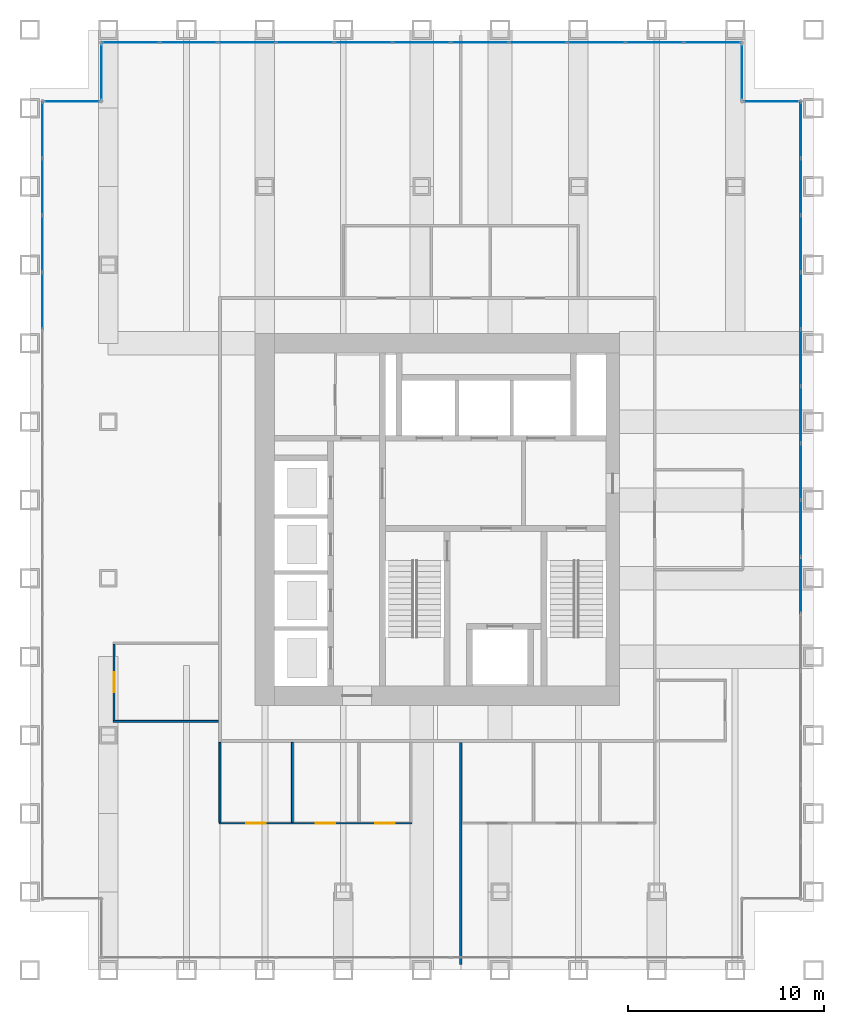
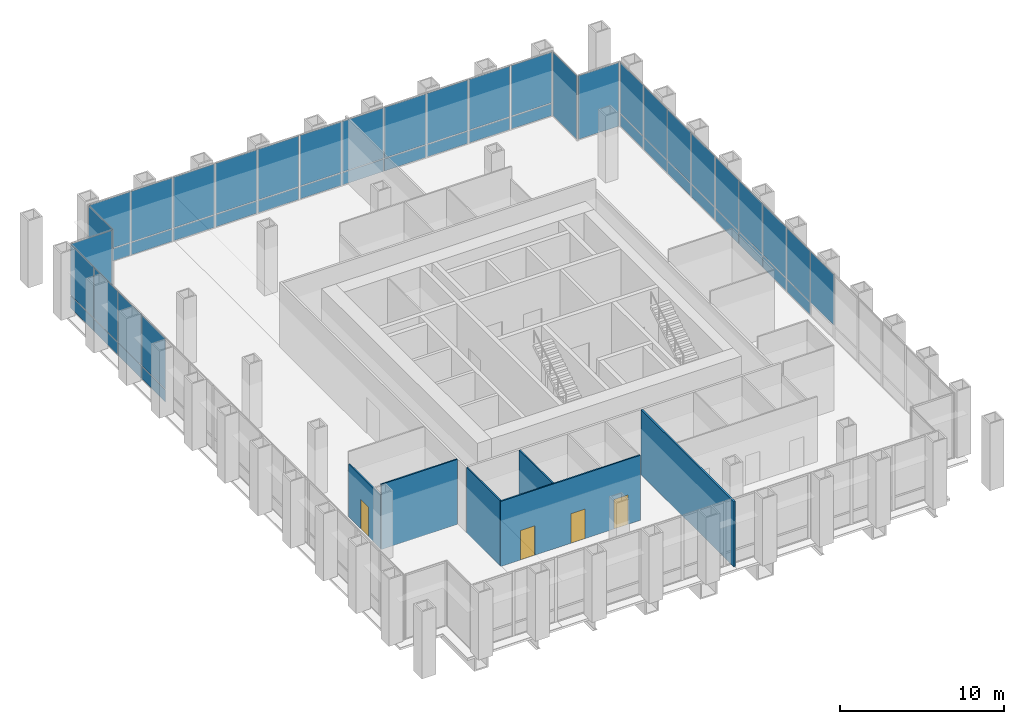
# One storey, part 9 of 13: 51 plates, 6 walls, 4 doors, 4 openings, 7 elements without a shape of their own.
"""IFC4 building model written with IfcOpenShell, lengths in metres."""

import ifcopenshell
import ifcopenshell.guid

model = None  # the IFC model being written
_history = None  # IfcOwnerHistory: only IFC2X3 demands one
_inside = {}  # id of a spatial element -> (the spatial element, [elements in it])
_under = {}  # id of a project, library or spatial element -> (it, [spatial elements below it])
_declared = {}  # id of a project -> (the project, [libraries it declares])
_typed = {}  # id of a type object -> (the type object, [elements of that type])
_made_of = {}  # id of a material, layer set ... -> (it, [elements and type objects made of it])


def new_model(schema):
    """Start an empty IFC model of exactly this schema.

    Asked for "IFC4X3", IfcOpenShell would pick the latest addendum, in which some entities
    have other attributes; the version numbers below select the first issue.
    IFC2X3 requires an IfcOwnerHistory on every rooted entity: one is made here for all.
    """
    global model, _history
    if schema == "IFC4X3":
        model = ifcopenshell.file(schema_version=(4, 3, 0, 0))
    else:
        model = ifcopenshell.file(schema=schema)
    _inside.clear()
    _under.clear()
    _declared.clear()
    _typed.clear()
    _made_of.clear()
    _history = None
    if model.schema == "IFC2X3":
        org = make("IfcOrganization", Name="unknown")
        user = make(
            "IfcPersonAndOrganization",
            ThePerson=make("IfcPerson", FamilyName="unknown"),
            TheOrganization=org,
        )
        app = make(
            "IfcApplication",
            ApplicationDeveloper=org,
            Version="unknown",
            ApplicationFullName="unknown",
            ApplicationIdentifier="unknown",
        )
        _history = make(
            "IfcOwnerHistory",
            OwningUser=user,
            OwningApplication=app,
            ChangeAction="ADDED",
            CreationDate=0,
        )
    return model


def make(cls, **values):
    """One entity of the class cls with the attributes given. An attribute that is None is left unset."""
    return model.create_entity(
        cls, **{name: value for name, value in values.items() if value is not None}
    )


def rooted(cls, **values):
    """An entity with a GlobalId (a new one), such as an element, a storey or a relation."""
    return make(cls, GlobalId=ifcopenshell.guid.new(), OwnerHistory=_history, **values)


def si_unit(unit_type, name, prefix=None):
    """IfcSIUnit, for example si_unit("LENGTHUNIT", "METRE", prefix="MILLI")."""
    return make("IfcSIUnit", UnitType=unit_type, Prefix=prefix, Name=name)


def assignment(units):
    """IfcUnitAssignment: the units of a project."""
    return None if units is None else make("IfcUnitAssignment", Units=units)


def point(xyz):
    """IfcCartesianPoint."""
    return None if xyz is None else make("IfcCartesianPoint", Coordinates=xyz)


def direction(xyz):
    """IfcDirection."""
    return None if xyz is None else make("IfcDirection", DirectionRatios=xyz)


def frame(location, z_axis=None, x_axis=None):
    """IfcAxis2Placement3D, a coordinate frame: its origin and axes. An axis left out is left unset."""
    return make(
        "IfcAxis2Placement3D",
        Location=point(location),
        Axis=direction(z_axis),
        RefDirection=direction(x_axis),
    )


def frame_2d(location, x_axis=None):
    """IfcAxis2Placement2D, a coordinate frame in the plane: its origin and x axis."""
    return make(
        "IfcAxis2Placement2D", Location=point(location), RefDirection=direction(x_axis)
    )


def origin():
    """The frame at (0, 0, 0) with its axes left unset."""
    return frame((0.0, 0.0, 0.0))


def origin_2d():
    """The frame at (0, 0) in the plane with its x axis left unset."""
    return frame_2d((0.0, 0.0))


def place(relative_to, where):
    """IfcLocalPlacement: puts the frame where relative to a parent placement (None: the world)."""
    return make(
        "IfcLocalPlacement", PlacementRelTo=relative_to, RelativePlacement=where
    )


def context(
    kind, dimensions, precision=None, world=None, true_north=None, identifier=None
):
    """IfcGeometricRepresentationContext, for example the 3D "Model" context."""
    return make(
        "IfcGeometricRepresentationContext",
        ContextIdentifier=identifier,
        ContextType=kind,
        CoordinateSpaceDimension=dimensions,
        Precision=precision,
        WorldCoordinateSystem=world,
        TrueNorth=true_north,
    )


def subcontext(parent, identifier, kind, view, scale=None):
    """IfcGeometricRepresentationSubContext, for example "Body" below "Model"."""
    return make(
        "IfcGeometricRepresentationSubContext",
        ContextIdentifier=identifier,
        ContextType=kind,
        ParentContext=parent,
        TargetScale=scale,
        TargetView=view,
    )


def project(units=None, contexts=None):
    """IfcProject with its units and contexts."""
    return rooted(
        "IfcProject",
        Name="project",
        RepresentationContexts=contexts,
        UnitsInContext=assignment(units),
    )


def spatial(cls, under=None, at=None, **own):
    """A site, building, storey or space (cls), placed at a placement, below another one or the project."""
    s = rooted(cls, ObjectPlacement=at, **own)
    if under is not None:
        _under.setdefault(under.id(), (under, []))[1].append(s)
    return s


def profile(cls, at=None, kind="AREA", **sizes):
    """A parametric profile (cls). Its sizes go by their IFC names, for example OverallWidth=200.0."""
    return make(cls, ProfileType=kind, Position=at, **sizes)


def rectangle(**sizes):
    """IfcRectangleProfileDef."""
    return profile("IfcRectangleProfileDef", **sizes)


def extrude(swept, where, along, depth):
    """IfcExtrudedAreaSolid: the profile swept, set in the frame where, extruded along a direction by depth."""
    return make(
        "IfcExtrudedAreaSolid",
        SweptArea=swept,
        Position=where,
        ExtrudedDirection=direction(along),
        Depth=depth,
    )


def shape(context_of_items, identifier, shape_type, items):
    """IfcShapeRepresentation: the items that make up one representation, for example the "Body"."""
    return make(
        "IfcShapeRepresentation",
        ContextOfItems=context_of_items,
        RepresentationIdentifier=identifier,
        RepresentationType=shape_type,
        Items=items,
    )


def material(Name=None, Category=None):
    """IfcMaterial."""
    return make("IfcMaterial", Name=Name, Category=Category)


def layer(
    of_material, thickness, ventilated=None, Name=None, Category=None, Priority=None
):
    """IfcMaterialLayer: one layer of a wall or slab, of a material (None: an air gap)."""
    return make(
        "IfcMaterialLayer",
        Material=of_material,
        LayerThickness=thickness,
        IsVentilated=ventilated,
        Name=Name,
        Category=Category,
        Priority=Priority,
    )


def layer_set(layers, Name=None):
    """IfcMaterialLayerSet."""
    return make("IfcMaterialLayerSet", MaterialLayers=layers, LayerSetName=Name)


def made_of(thing, what):
    """Note that an element or type object is made of a material, layer set ...; save() writes the relation."""
    if what is not None:
        _made_of.setdefault(what.id(), (what, []))[1].append(thing)
    return thing


def type_object(cls, material=None, **own):
    """A type object (cls), such as IfcWallType, which elements share."""
    return made_of(rooted(cls, **own), material)


def element(
    cls,
    number,
    at=None,
    inside=None,
    cuts=None,
    type_object=None,
    material=None,
    context=None,
    identifier="Body",
    shape_type=None,
    held_by="IfcProductDefinitionShape",
    body=None,
    shapes=None,
    **own,
):
    """One element of the class cls, such as IfcWall. Its Tag is "e" and its number.

    at: its placement. inside: the storey or other place that contains it. cuts: it is an
    opening in that element (IfcRelVoidsElement). A single representation is given by context,
    identifier, shape_type and body (its items); several are given by shapes. held_by: the class
    of the entity that holds the representations. save() writes the other relations.
    """
    e = rooted(cls, Tag="e%d" % number, ObjectPlacement=at, **own)
    if body is not None:
        shapes = [shape(context, identifier, shape_type, body)]
    if shapes is not None:
        e.Representation = make(held_by, Representations=shapes)
    if inside is not None:
        _inside.setdefault(inside.id(), (inside, []))[1].append(e)
    if cuts is not None:
        rooted(
            "IfcRelVoidsElement", RelatingBuildingElement=cuts, RelatedOpeningElement=e
        )
    if type_object is not None:
        _typed.setdefault(type_object.id(), (type_object, []))[1].append(e)
    return made_of(e, material)


def fill(opening, filler):
    """IfcRelFillsElement: the door or window that sits in an opening."""
    return rooted(
        "IfcRelFillsElement",
        RelatingOpeningElement=opening,
        RelatedBuildingElement=filler,
    )


def aggregate(whole, parts):
    """IfcRelAggregates: a whole, such as a stair, and the parts it consists of."""
    return rooted("IfcRelAggregates", RelatingObject=whole, RelatedObjects=parts)


def save(model, path):
    """Write the relations noted so far, then the file.

    IfcRelAggregates (storeys below a building ...), IfcRelContainedInSpatialStructure (elements
    in a storey), IfcRelDefinesByType, IfcRelAssociatesMaterial and IfcRelDeclares: one each for
    every whole, place, type object, material and project.
    """
    for whole, parts in _under.values():
        aggregate(whole, parts)
    for where, things in _inside.values():
        rooted(
            "IfcRelContainedInSpatialStructure",
            RelatedElements=things,
            RelatingStructure=where,
        )
    for kind, things in _typed.values():
        rooted("IfcRelDefinesByType", RelatedObjects=things, RelatingType=kind)
    for what, things in _made_of.values():
        rooted("IfcRelAssociatesMaterial", RelatedObjects=things, RelatingMaterial=what)
    for by, libraries in _declared.values():
        rooted("IfcRelDeclares", RelatingContext=by, RelatedDefinitions=libraries)
    model.write(path)


model = new_model("IFC4")

# Units and contexts
model_context = context("Model", 3, precision=1e-05, world=origin(), true_north=direction((0.0, 1.0)))
body_context = subcontext(model_context, "Body", "Model", "MODEL_VIEW")
ifc_project = project(units=[si_unit("LENGTHUNIT", "METRE"), si_unit("AREAUNIT", "SQUARE_METRE"), si_unit("VOLUMEUNIT", "CUBIC_METRE"), si_unit("PLANEANGLEUNIT", "RADIAN"), si_unit("MASSUNIT", "GRAM", prefix="KILO")], contexts=[model_context])

# Site, building, storey
site_placement = place(None, origin())
site = spatial("IfcSite", under=ifc_project, at=site_placement, CompositionType="ELEMENT")
building_placement = place(site_placement, origin())
building = spatial("IfcBuilding", under=site, at=building_placement, Name="Rimbunsela Tower", CompositionType="ELEMENT")
storey_placement = place(building_placement, frame((0.0, 0.0, 142.800048828125)))
storey = spatial("IfcBuildingStorey", under=building, at=storey_placement, Name="L34", CompositionType="ELEMENT", Elevation=142.800048828125)

# Curtain wall, plates
ifc_material_1 = material(Name="Aluminium curtain wall", Category="aluminium")
curtain_wall_type_1 = type_object("IfcCurtainWallType", Name="Sky lobby glazing", PredefinedType="USERDEFINED", material=ifc_material_1)
curtain_wall_1_placement = place(storey_placement, origin())
curtain_wall_1 = element("IfcCurtainWall", 1, at=curtain_wall_1_placement, inside=storey, type_object=curtain_wall_type_1, Name="Sky lobby glazing L34", ObjectType="SKY LOBBY GLAZING", PredefinedType="USERDEFINED")
ifc_material_2 = material(Name="Clear double glazing", Category="glass")
ifc_layer_1 = layer(ifc_material_2, 0.028076171875)
ifc_layer_set_1 = layer_set([ifc_layer_1], Name="Glazed panel clear")
plate_type = type_object("IfcPlateType", Name="Glazed panel clear", PredefinedType="CURTAIN_PANEL", material=ifc_layer_set_1)
plate_1_placement = place(storey_placement, frame((45.35009765625, 23.639404296875, 1.02978515625), z_axis=(0.0, 0.0, 1.0), x_axis=(0.0, 1.0, 0.0)))
plate_1 = element("IfcPlate", 2, at=plate_1_placement, type_object=plate_type, Name="CW4 panel 6.2", PredefinedType="CURTAIN_PANEL", context=body_context, shape_type="SweptSolid", body=[
    extrude(rectangle(XDim=2.84716796875, YDim=0.028076171875, at=origin_2d()), origin(), (0.0, 0.0, 1.0), 3.760009765625),
])
plate_2_placement = place(storey_placement, frame((45.35009765625, 26.54638671875, 0.06005859375), z_axis=(0.0, 0.0, 1.0), x_axis=(0.0, 1.0, 0.0)))
plate_2 = element("IfcPlate", 3, at=plate_2_placement, type_object=plate_type, Name="CW4 panel 7.1", PredefinedType="CURTAIN_PANEL", context=body_context, shape_type="SweptSolid", body=[
    extrude(rectangle(XDim=2.84716796875, YDim=0.028076171875, at=origin_2d()), origin(), (0.0, 0.0, 1.0), 0.909912109375),
])
plate_3_placement = place(storey_placement, frame((45.35009765625, 26.54638671875, 1.02978515625), z_axis=(0.0, 0.0, 1.0), x_axis=(0.0, 1.0, 0.0)))
plate_3 = element("IfcPlate", 4, at=plate_3_placement, type_object=plate_type, Name="CW4 panel 7.2", PredefinedType="CURTAIN_PANEL", context=body_context, shape_type="SweptSolid", body=[
    extrude(rectangle(XDim=2.84716796875, YDim=0.028076171875, at=origin_2d()), origin(), (0.0, 0.0, 1.0), 3.760009765625),
])
plate_4_placement = place(storey_placement, frame((45.35009765625, 29.45361328125, 0.06005859375), z_axis=(0.0, 0.0, 1.0), x_axis=(0.0, 1.0, 0.0)))
plate_4 = element("IfcPlate", 5, at=plate_4_placement, type_object=plate_type, Name="CW4 panel 8.1", PredefinedType="CURTAIN_PANEL", context=body_context, shape_type="SweptSolid", body=[
    extrude(rectangle(XDim=2.84716796875, YDim=0.028076171875, at=origin_2d()), origin(), (0.0, 0.0, 1.0), 0.909912109375),
])
plate_5_placement = place(storey_placement, frame((45.35009765625, 29.45361328125, 1.02978515625), z_axis=(0.0, 0.0, 1.0), x_axis=(0.0, 1.0, 0.0)))
plate_5 = element("IfcPlate", 6, at=plate_5_placement, type_object=plate_type, Name="CW4 panel 8.2", PredefinedType="CURTAIN_PANEL", context=body_context, shape_type="SweptSolid", body=[
    extrude(rectangle(XDim=2.84716796875, YDim=0.028076171875, at=origin_2d()), origin(), (0.0, 0.0, 1.0), 3.760009765625),
])
plate_6_placement = place(storey_placement, frame((45.35009765625, 32.360595703125, 0.06005859375), z_axis=(0.0, 0.0, 1.0), x_axis=(0.0, 1.0, 0.0)))
plate_6 = element("IfcPlate", 7, at=plate_6_placement, type_object=plate_type, Name="CW4 panel 9.1", PredefinedType="CURTAIN_PANEL", context=body_context, shape_type="SweptSolid", body=[
    extrude(rectangle(XDim=2.84716796875, YDim=0.028076171875, at=origin_2d()), origin(), (0.0, 0.0, 1.0), 0.909912109375),
])
plate_7_placement = place(storey_placement, frame((45.35009765625, 32.360595703125, 1.02978515625), z_axis=(0.0, 0.0, 1.0), x_axis=(0.0, 1.0, 0.0)))
plate_7 = element("IfcPlate", 8, at=plate_7_placement, type_object=plate_type, Name="CW4 panel 9.2", PredefinedType="CURTAIN_PANEL", context=body_context, shape_type="SweptSolid", body=[
    extrude(rectangle(XDim=2.84716796875, YDim=0.028076171875, at=origin_2d()), origin(), (0.0, 0.0, 1.0), 3.760009765625),
])
plate_8_placement = place(storey_placement, frame((45.35009765625, 35.267822265625, 0.06005859375), z_axis=(0.0, 0.0, 1.0), x_axis=(0.0, 1.0, 0.0)))
plate_8 = element("IfcPlate", 9, at=plate_8_placement, type_object=plate_type, Name="CW4 panel 10.1", PredefinedType="CURTAIN_PANEL", context=body_context, shape_type="SweptSolid", body=[
    extrude(rectangle(XDim=2.84716796875, YDim=0.028076171875, at=origin_2d()), origin(), (0.0, 0.0, 1.0), 0.909912109375),
])
plate_9_placement = place(storey_placement, frame((45.35009765625, 35.267822265625, 1.02978515625), z_axis=(0.0, 0.0, 1.0), x_axis=(0.0, 1.0, 0.0)))
plate_9 = element("IfcPlate", 10, at=plate_9_placement, type_object=plate_type, Name="CW4 panel 10.2", PredefinedType="CURTAIN_PANEL", context=body_context, shape_type="SweptSolid", body=[
    extrude(rectangle(XDim=2.84716796875, YDim=0.028076171875, at=origin_2d()), origin(), (0.0, 0.0, 1.0), 3.760009765625),
])
plate_10_placement = place(storey_placement, frame((45.35009765625, 38.175048828125, 0.06005859375), z_axis=(0.0, 0.0, 1.0), x_axis=(0.0, 1.0, 0.0)))
plate_10 = element("IfcPlate", 11, at=plate_10_placement, type_object=plate_type, Name="CW4 panel 11.1", PredefinedType="CURTAIN_PANEL", context=body_context, shape_type="SweptSolid", body=[
    extrude(rectangle(XDim=2.84716796875, YDim=0.028076171875, at=origin_2d()), origin(), (0.0, 0.0, 1.0), 0.909912109375),
])
plate_11_placement = place(storey_placement, frame((45.35009765625, 38.175048828125, 1.02978515625), z_axis=(0.0, 0.0, 1.0), x_axis=(0.0, 1.0, 0.0)))
plate_11 = element("IfcPlate", 12, at=plate_11_placement, type_object=plate_type, Name="CW4 panel 11.2", PredefinedType="CURTAIN_PANEL", context=body_context, shape_type="SweptSolid", body=[
    extrude(rectangle(XDim=2.84716796875, YDim=0.028076171875, at=origin_2d()), origin(), (0.0, 0.0, 1.0), 3.760009765625),
])
plate_12_placement = place(storey_placement, frame((45.35009765625, 41.08203125, 0.06005859375), z_axis=(0.0, 0.0, 1.0), x_axis=(0.0, 1.0, 0.0)))
plate_12 = element("IfcPlate", 13, at=plate_12_placement, type_object=plate_type, Name="CW4 panel 12.1", PredefinedType="CURTAIN_PANEL", context=body_context, shape_type="SweptSolid", body=[
    extrude(rectangle(XDim=2.84716796875, YDim=0.028076171875, at=origin_2d()), origin(), (0.0, 0.0, 1.0), 0.909912109375),
])
plate_13_placement = place(storey_placement, frame((45.35009765625, 41.08203125, 1.02978515625), z_axis=(0.0, 0.0, 1.0), x_axis=(0.0, 1.0, 0.0)))
plate_13 = element("IfcPlate", 14, at=plate_13_placement, type_object=plate_type, Name="CW4 panel 12.2", PredefinedType="CURTAIN_PANEL", context=body_context, shape_type="SweptSolid", body=[
    extrude(rectangle(XDim=2.84716796875, YDim=0.028076171875, at=origin_2d()), origin(), (0.0, 0.0, 1.0), 3.760009765625),
])
plate_14_placement = place(storey_placement, frame((45.35009765625, 43.9892578125, 0.06005859375), z_axis=(0.0, 0.0, 1.0), x_axis=(0.0, 1.0, 0.0)))
plate_14 = element("IfcPlate", 15, at=plate_14_placement, type_object=plate_type, Name="CW4 panel 13.1", PredefinedType="CURTAIN_PANEL", context=body_context, shape_type="SweptSolid", body=[
    extrude(rectangle(XDim=2.84716796875, YDim=0.028076171875, at=origin_2d()), origin(), (0.0, 0.0, 1.0), 0.909912109375),
])
plate_15_placement = place(storey_placement, frame((45.35009765625, 43.9892578125, 1.02978515625), z_axis=(0.0, 0.0, 1.0), x_axis=(0.0, 1.0, 0.0)))
plate_15 = element("IfcPlate", 16, at=plate_15_placement, type_object=plate_type, Name="CW4 panel 13.2", PredefinedType="CURTAIN_PANEL", context=body_context, shape_type="SweptSolid", body=[
    extrude(rectangle(XDim=2.84716796875, YDim=0.028076171875, at=origin_2d()), origin(), (0.0, 0.0, 1.0), 3.760009765625),
])
plate_16_placement = place(storey_placement, frame((45.35009765625, 46.88134765625, 0.06005859375), z_axis=(0.0, 0.0, 1.0), x_axis=(0.0, 1.0, 0.0)))
plate_16 = element("IfcPlate", 17, at=plate_16_placement, type_object=plate_type, Name="CW4 panel 14.1", PredefinedType="CURTAIN_PANEL", context=body_context, shape_type="SweptSolid", body=[
    extrude(rectangle(XDim=2.817138671875, YDim=0.028076171875, at=origin_2d()), origin(), (0.0, 0.0, 1.0), 0.909912109375),
])
plate_17_placement = place(storey_placement, frame((45.35009765625, 46.88134765625, 1.02978515625), z_axis=(0.0, 0.0, 1.0), x_axis=(0.0, 1.0, 0.0)))
plate_17 = element("IfcPlate", 18, at=plate_17_placement, type_object=plate_type, Name="CW4 panel 14.2", PredefinedType="CURTAIN_PANEL", context=body_context, shape_type="SweptSolid", body=[
    extrude(rectangle(XDim=2.817138671875, YDim=0.028076171875, at=origin_2d()), origin(), (0.0, 0.0, 1.0), 3.760009765625),
])
aggregate(curtain_wall_1, [plate_1, plate_2, plate_3, plate_4, plate_5, plate_6, plate_7, plate_8, plate_9, plate_10, plate_11, plate_12, plate_13, plate_14, plate_15, plate_16, plate_17])

# Curtain wall, plate
ifc_material_3 = material(Name="Aluminium curtain wall", Category="aluminium")
curtain_wall_type_2 = type_object("IfcCurtainWallType", Name="Corner glazing", PredefinedType="USERDEFINED", material=ifc_material_3)
curtain_wall_2_placement = place(storey_placement, origin())
curtain_wall_2 = element("IfcCurtainWall", 19, at=curtain_wall_2_placement, inside=storey, type_object=curtain_wall_type_2, Name="Corner glazing L34", ObjectType="CORNER GLAZING", PredefinedType="USERDEFINED")
plate_18_placement = place(storey_placement, frame((43.85009765625, 48.35009765625, 0.06005859375), z_axis=(0.0, 0.0, 1.0), x_axis=(-1.0, 0.0, 0.0)))
plate_18 = element("IfcPlate", 20, at=plate_18_placement, type_object=plate_type, Name="CW5 panel 1.1", PredefinedType="CURTAIN_PANEL", context=body_context, shape_type="SweptSolid", body=[
    extrude(rectangle(XDim=2.8798828125, YDim=0.028076171875, at=origin_2d()), origin(), (0.0, 0.0, 1.0), 4.72998046875),
])
aggregate(curtain_wall_2, [plate_18])

curtain_wall_3_placement = place(storey_placement, origin())
curtain_wall_3 = element("IfcCurtainWall", 21, at=curtain_wall_3_placement, inside=storey, type_object=curtain_wall_type_2, Name="Corner glazing L34", ObjectType="CORNER GLAZING", PredefinedType="USERDEFINED")
plate_19_placement = place(storey_placement, frame((42.35009765625, 49.85009765625, 0.06005859375), z_axis=(0.0, 0.0, 1.0), x_axis=(0.0, 1.0, 0.0)))
plate_19 = element("IfcPlate", 22, at=plate_19_placement, type_object=plate_type, Name="CW5 panel 1.1", PredefinedType="CURTAIN_PANEL", context=body_context, shape_type="SweptSolid", body=[
    extrude(rectangle(XDim=2.8798828125, YDim=0.028076171875, at=origin_2d()), origin(), (0.0, 0.0, 1.0), 4.72998046875),
])
aggregate(curtain_wall_3, [plate_19])

# Curtain wall, plates
curtain_wall_4_placement = place(storey_placement, origin())
curtain_wall_4 = element("IfcCurtainWall", 23, at=curtain_wall_4_placement, inside=storey, type_object=curtain_wall_type_1, Name="Sky lobby glazing L34", ObjectType="SKY LOBBY GLAZING", PredefinedType="USERDEFINED")
plate_20_placement = place(storey_placement, frame((40.8486328125, 51.35009765625, 0.06005859375), z_axis=(0.0, 0.0, 1.0), x_axis=(-1.0, 0.0, 0.0)))
plate_20 = element("IfcPlate", 24, at=plate_20_placement, type_object=plate_type, Name="CW4 panel 1.1", PredefinedType="CURTAIN_PANEL", context=body_context, shape_type="SweptSolid", body=[
    extrude(rectangle(XDim=2.8828125, YDim=0.028076171875, at=origin_2d()), origin(), (0.0, 0.0, 1.0), 0.909912109375),
])
plate_21_placement = place(storey_placement, frame((40.8486328125, 51.35009765625, 1.02978515625), z_axis=(0.0, 0.0, 1.0), x_axis=(-1.0, 0.0, 0.0)))
plate_21 = element("IfcPlate", 25, at=plate_21_placement, type_object=plate_type, Name="CW4 panel 1.2", PredefinedType="CURTAIN_PANEL", context=body_context, shape_type="SweptSolid", body=[
    extrude(rectangle(XDim=2.8828125, YDim=0.028076171875, at=origin_2d()), origin(), (0.0, 0.0, 1.0), 3.760009765625),
])
plate_22_placement = place(storey_placement, frame((37.890869140625, 51.35009765625, 0.06005859375), z_axis=(0.0, 0.0, 1.0), x_axis=(-1.0, 0.0, 0.0)))
plate_22 = element("IfcPlate", 26, at=plate_22_placement, type_object=plate_type, Name="CW4 panel 2.1", PredefinedType="CURTAIN_PANEL", context=body_context, shape_type="SweptSolid", body=[
    extrude(rectangle(XDim=2.912841796875, YDim=0.028076171875, at=origin_2d()), origin(), (0.0, 0.0, 1.0), 0.909912109375),
])
plate_23_placement = place(storey_placement, frame((37.890869140625, 51.35009765625, 1.02978515625), z_axis=(0.0, 0.0, 1.0), x_axis=(-1.0, 0.0, 0.0)))
plate_23 = element("IfcPlate", 27, at=plate_23_placement, type_object=plate_type, Name="CW4 panel 2.2", PredefinedType="CURTAIN_PANEL", context=body_context, shape_type="SweptSolid", body=[
    extrude(rectangle(XDim=2.912841796875, YDim=0.028076171875, at=origin_2d()), origin(), (0.0, 0.0, 1.0), 3.760009765625),
])
plate_24_placement = place(storey_placement, frame((34.918212890625, 51.35009765625, 0.06005859375), z_axis=(0.0, 0.0, 1.0), x_axis=(-1.0, 0.0, 0.0)))
plate_24 = element("IfcPlate", 28, at=plate_24_placement, type_object=plate_type, Name="CW4 panel 3.1", PredefinedType="CURTAIN_PANEL", context=body_context, shape_type="SweptSolid", body=[
    extrude(rectangle(XDim=2.912841796875, YDim=0.028076171875, at=origin_2d()), origin(), (0.0, 0.0, 1.0), 0.909912109375),
])
plate_25_placement = place(storey_placement, frame((34.918212890625, 51.35009765625, 1.02978515625), z_axis=(0.0, 0.0, 1.0), x_axis=(-1.0, 0.0, 0.0)))
plate_25 = element("IfcPlate", 29, at=plate_25_placement, type_object=plate_type, Name="CW4 panel 3.2", PredefinedType="CURTAIN_PANEL", context=body_context, shape_type="SweptSolid", body=[
    extrude(rectangle(XDim=2.912841796875, YDim=0.028076171875, at=origin_2d()), origin(), (0.0, 0.0, 1.0), 3.760009765625),
])
plate_26_placement = place(storey_placement, frame((31.945556640625, 51.35009765625, 0.06005859375), z_axis=(0.0, 0.0, 1.0), x_axis=(-1.0, 0.0, 0.0)))
plate_26 = element("IfcPlate", 30, at=plate_26_placement, type_object=plate_type, Name="CW4 panel 4.1", PredefinedType="CURTAIN_PANEL", context=body_context, shape_type="SweptSolid", body=[
    extrude(rectangle(XDim=2.912841796875, YDim=0.028076171875, at=origin_2d()), origin(), (0.0, 0.0, 1.0), 0.909912109375),
])
plate_27_placement = place(storey_placement, frame((31.945556640625, 51.35009765625, 1.02978515625), z_axis=(0.0, 0.0, 1.0), x_axis=(-1.0, 0.0, 0.0)))
plate_27 = element("IfcPlate", 31, at=plate_27_placement, type_object=plate_type, Name="CW4 panel 4.2", PredefinedType="CURTAIN_PANEL", context=body_context, shape_type="SweptSolid", body=[
    extrude(rectangle(XDim=2.912841796875, YDim=0.028076171875, at=origin_2d()), origin(), (0.0, 0.0, 1.0), 3.760009765625),
])
plate_28_placement = place(storey_placement, frame((28.97265625, 51.35009765625, 0.06005859375), z_axis=(0.0, 0.0, 1.0), x_axis=(-1.0, 0.0, 0.0)))
plate_28 = element("IfcPlate", 32, at=plate_28_placement, type_object=plate_type, Name="CW4 panel 5.1", PredefinedType="CURTAIN_PANEL", context=body_context, shape_type="SweptSolid", body=[
    extrude(rectangle(XDim=2.912841796875, YDim=0.028076171875, at=origin_2d()), origin(), (0.0, 0.0, 1.0), 0.909912109375),
])
plate_29_placement = place(storey_placement, frame((28.97265625, 51.35009765625, 1.02978515625), z_axis=(0.0, 0.0, 1.0), x_axis=(-1.0, 0.0, 0.0)))
plate_29 = element("IfcPlate", 33, at=plate_29_placement, type_object=plate_type, Name="CW4 panel 5.2", PredefinedType="CURTAIN_PANEL", context=body_context, shape_type="SweptSolid", body=[
    extrude(rectangle(XDim=2.912841796875, YDim=0.028076171875, at=origin_2d()), origin(), (0.0, 0.0, 1.0), 3.760009765625),
])
plate_30_placement = place(storey_placement, frame((26.0, 51.35009765625, 0.06005859375), z_axis=(0.0, 0.0, 1.0), x_axis=(-1.0, 0.0, 0.0)))
plate_30 = element("IfcPlate", 34, at=plate_30_placement, type_object=plate_type, Name="CW4 panel 6.1", PredefinedType="CURTAIN_PANEL", context=body_context, shape_type="SweptSolid", body=[
    extrude(rectangle(XDim=2.912841796875, YDim=0.028076171875, at=origin_2d()), origin(), (0.0, 0.0, 1.0), 0.909912109375),
])
plate_31_placement = place(storey_placement, frame((26.0, 51.35009765625, 1.02978515625), z_axis=(0.0, 0.0, 1.0), x_axis=(-1.0, 0.0, 0.0)))
plate_31 = element("IfcPlate", 35, at=plate_31_placement, type_object=plate_type, Name="CW4 panel 6.2", PredefinedType="CURTAIN_PANEL", context=body_context, shape_type="SweptSolid", body=[
    extrude(rectangle(XDim=2.912841796875, YDim=0.028076171875, at=origin_2d()), origin(), (0.0, 0.0, 1.0), 3.760009765625),
])
plate_32_placement = place(storey_placement, frame((23.02734375, 51.35009765625, 0.06005859375), z_axis=(0.0, 0.0, 1.0), x_axis=(-1.0, 0.0, 0.0)))
plate_32 = element("IfcPlate", 36, at=plate_32_placement, type_object=plate_type, Name="CW4 panel 7.1", PredefinedType="CURTAIN_PANEL", context=body_context, shape_type="SweptSolid", body=[
    extrude(rectangle(XDim=2.912841796875, YDim=0.028076171875, at=origin_2d()), origin(), (0.0, 0.0, 1.0), 0.909912109375),
])
plate_33_placement = place(storey_placement, frame((23.02734375, 51.35009765625, 1.02978515625), z_axis=(0.0, 0.0, 1.0), x_axis=(-1.0, 0.0, 0.0)))
plate_33 = element("IfcPlate", 37, at=plate_33_placement, type_object=plate_type, Name="CW4 panel 7.2", PredefinedType="CURTAIN_PANEL", context=body_context, shape_type="SweptSolid", body=[
    extrude(rectangle(XDim=2.912841796875, YDim=0.028076171875, at=origin_2d()), origin(), (0.0, 0.0, 1.0), 3.760009765625),
])
plate_34_placement = place(storey_placement, frame((20.054443359375, 51.35009765625, 0.06005859375), z_axis=(0.0, 0.0, 1.0), x_axis=(-1.0, 0.0, 0.0)))
plate_34 = element("IfcPlate", 38, at=plate_34_placement, type_object=plate_type, Name="CW4 panel 8.1", PredefinedType="CURTAIN_PANEL", context=body_context, shape_type="SweptSolid", body=[
    extrude(rectangle(XDim=2.912841796875, YDim=0.028076171875, at=origin_2d()), origin(), (0.0, 0.0, 1.0), 0.909912109375),
])
plate_35_placement = place(storey_placement, frame((20.054443359375, 51.35009765625, 1.02978515625), z_axis=(0.0, 0.0, 1.0), x_axis=(-1.0, 0.0, 0.0)))
plate_35 = element("IfcPlate", 39, at=plate_35_placement, type_object=plate_type, Name="CW4 panel 8.2", PredefinedType="CURTAIN_PANEL", context=body_context, shape_type="SweptSolid", body=[
    extrude(rectangle(XDim=2.912841796875, YDim=0.028076171875, at=origin_2d()), origin(), (0.0, 0.0, 1.0), 3.760009765625),
])
plate_36_placement = place(storey_placement, frame((17.081787109375, 51.35009765625, 0.06005859375), z_axis=(0.0, 0.0, 1.0), x_axis=(-1.0, 0.0, 0.0)))
plate_36 = element("IfcPlate", 40, at=plate_36_placement, type_object=plate_type, Name="CW4 panel 9.1", PredefinedType="CURTAIN_PANEL", context=body_context, shape_type="SweptSolid", body=[
    extrude(rectangle(XDim=2.912841796875, YDim=0.028076171875, at=origin_2d()), origin(), (0.0, 0.0, 1.0), 0.909912109375),
])
plate_37_placement = place(storey_placement, frame((17.081787109375, 51.35009765625, 1.02978515625), z_axis=(0.0, 0.0, 1.0), x_axis=(-1.0, 0.0, 0.0)))
plate_37 = element("IfcPlate", 41, at=plate_37_placement, type_object=plate_type, Name="CW4 panel 9.2", PredefinedType="CURTAIN_PANEL", context=body_context, shape_type="SweptSolid", body=[
    extrude(rectangle(XDim=2.912841796875, YDim=0.028076171875, at=origin_2d()), origin(), (0.0, 0.0, 1.0), 3.760009765625),
])
plate_38_placement = place(storey_placement, frame((14.109130859375, 51.35009765625, 0.06005859375), z_axis=(0.0, 0.0, 1.0), x_axis=(-1.0, 0.0, 0.0)))
plate_38 = element("IfcPlate", 42, at=plate_38_placement, type_object=plate_type, Name="CW4 panel 10.1", PredefinedType="CURTAIN_PANEL", context=body_context, shape_type="SweptSolid", body=[
    extrude(rectangle(XDim=2.912841796875, YDim=0.028076171875, at=origin_2d()), origin(), (0.0, 0.0, 1.0), 0.909912109375),
])
plate_39_placement = place(storey_placement, frame((14.109130859375, 51.35009765625, 1.02978515625), z_axis=(0.0, 0.0, 1.0), x_axis=(-1.0, 0.0, 0.0)))
plate_39 = element("IfcPlate", 43, at=plate_39_placement, type_object=plate_type, Name="CW4 panel 10.2", PredefinedType="CURTAIN_PANEL", context=body_context, shape_type="SweptSolid", body=[
    extrude(rectangle(XDim=2.912841796875, YDim=0.028076171875, at=origin_2d()), origin(), (0.0, 0.0, 1.0), 3.760009765625),
])
plate_40_placement = place(storey_placement, frame((11.1513671875, 51.35009765625, 0.06005859375), z_axis=(0.0, 0.0, 1.0), x_axis=(-1.0, 0.0, 0.0)))
plate_40 = element("IfcPlate", 44, at=plate_40_placement, type_object=plate_type, Name="CW4 panel 11.1", PredefinedType="CURTAIN_PANEL", context=body_context, shape_type="SweptSolid", body=[
    extrude(rectangle(XDim=2.8828125, YDim=0.028076171875, at=origin_2d()), origin(), (0.0, 0.0, 1.0), 0.909912109375),
])
plate_41_placement = place(storey_placement, frame((11.1513671875, 51.35009765625, 1.02978515625), z_axis=(0.0, 0.0, 1.0), x_axis=(-1.0, 0.0, 0.0)))
plate_41 = element("IfcPlate", 45, at=plate_41_placement, type_object=plate_type, Name="CW4 panel 11.2", PredefinedType="CURTAIN_PANEL", context=body_context, shape_type="SweptSolid", body=[
    extrude(rectangle(XDim=2.8828125, YDim=0.028076171875, at=origin_2d()), origin(), (0.0, 0.0, 1.0), 3.760009765625),
])
aggregate(curtain_wall_4, [plate_20, plate_21, plate_22, plate_23, plate_24, plate_25, plate_26, plate_27, plate_28, plate_29, plate_30, plate_31, plate_32, plate_33, plate_34, plate_35, plate_36, plate_37, plate_38, plate_39, plate_40, plate_41])

# Curtain wall, plate
curtain_wall_5_placement = place(storey_placement, origin())
curtain_wall_5 = element("IfcCurtainWall", 46, at=curtain_wall_5_placement, inside=storey, type_object=curtain_wall_type_2, Name="Corner glazing L34", ObjectType="CORNER GLAZING", PredefinedType="USERDEFINED")
plate_42_placement = place(storey_placement, frame((9.64990234375, 49.85009765625, 0.06005859375), z_axis=(0.0, 0.0, 1.0), x_axis=(0.0, -1.0, 0.0)))
plate_42 = element("IfcPlate", 47, at=plate_42_placement, type_object=plate_type, Name="CW5 panel 1.1", PredefinedType="CURTAIN_PANEL", context=body_context, shape_type="SweptSolid", body=[
    extrude(rectangle(XDim=2.8798828125, YDim=0.028076171875, at=origin_2d()), origin(), (0.0, 0.0, 1.0), 4.72998046875),
])
aggregate(curtain_wall_5, [plate_42])

curtain_wall_6_placement = place(storey_placement, origin())
curtain_wall_6 = element("IfcCurtainWall", 48, at=curtain_wall_6_placement, inside=storey, type_object=curtain_wall_type_2, Name="Corner glazing L34", ObjectType="CORNER GLAZING", PredefinedType="USERDEFINED")
plate_43_placement = place(storey_placement, frame((8.14990234375, 48.35009765625, 0.06005859375), z_axis=(0.0, 0.0, 1.0), x_axis=(-1.0, 0.0, 0.0)))
plate_43 = element("IfcPlate", 49, at=plate_43_placement, type_object=plate_type, Name="CW5 panel 1.1", PredefinedType="CURTAIN_PANEL", context=body_context, shape_type="SweptSolid", body=[
    extrude(rectangle(XDim=2.8798828125, YDim=0.028076171875, at=origin_2d()), origin(), (0.0, 0.0, 1.0), 4.72998046875),
])
aggregate(curtain_wall_6, [plate_43])

# Curtain wall, plates
curtain_wall_7_placement = place(storey_placement, origin())
curtain_wall_7 = element("IfcCurtainWall", 50, at=curtain_wall_7_placement, inside=storey, type_object=curtain_wall_type_1, Name="Sky lobby glazing L34", ObjectType="SKY LOBBY GLAZING", PredefinedType="USERDEFINED")
plate_44_placement = place(storey_placement, frame((6.64990234375, 46.88134765625, 0.06005859375), z_axis=(0.0, 0.0, 1.0), x_axis=(0.0, -1.0, 0.0)))
plate_44 = element("IfcPlate", 51, at=plate_44_placement, type_object=plate_type, Name="CW4 panel 1.1", PredefinedType="CURTAIN_PANEL", context=body_context, shape_type="SweptSolid", body=[
    extrude(rectangle(XDim=2.817138671875, YDim=0.028076171875, at=origin_2d()), origin(), (0.0, 0.0, 1.0), 0.909912109375),
])
plate_45_placement = place(storey_placement, frame((6.64990234375, 46.88134765625, 1.02978515625), z_axis=(0.0, 0.0, 1.0), x_axis=(0.0, -1.0, 0.0)))
plate_45 = element("IfcPlate", 52, at=plate_45_placement, type_object=plate_type, Name="CW4 panel 1.2", PredefinedType="CURTAIN_PANEL", context=body_context, shape_type="SweptSolid", body=[
    extrude(rectangle(XDim=2.817138671875, YDim=0.028076171875, at=origin_2d()), origin(), (0.0, 0.0, 1.0), 3.760009765625),
])
plate_46_placement = place(storey_placement, frame((6.64990234375, 43.9892578125, 0.06005859375), z_axis=(0.0, 0.0, 1.0), x_axis=(0.0, -1.0, 0.0)))
plate_46 = element("IfcPlate", 53, at=plate_46_placement, type_object=plate_type, Name="CW4 panel 2.1", PredefinedType="CURTAIN_PANEL", context=body_context, shape_type="SweptSolid", body=[
    extrude(rectangle(XDim=2.84716796875, YDim=0.028076171875, at=origin_2d()), origin(), (0.0, 0.0, 1.0), 0.909912109375),
])
plate_47_placement = place(storey_placement, frame((6.64990234375, 43.9892578125, 1.02978515625), z_axis=(0.0, 0.0, 1.0), x_axis=(0.0, -1.0, 0.0)))
plate_47 = element("IfcPlate", 54, at=plate_47_placement, type_object=plate_type, Name="CW4 panel 2.2", PredefinedType="CURTAIN_PANEL", context=body_context, shape_type="SweptSolid", body=[
    extrude(rectangle(XDim=2.84716796875, YDim=0.028076171875, at=origin_2d()), origin(), (0.0, 0.0, 1.0), 3.760009765625),
])
plate_48_placement = place(storey_placement, frame((6.64990234375, 41.08203125, 0.06005859375), z_axis=(0.0, 0.0, 1.0), x_axis=(0.0, -1.0, 0.0)))
plate_48 = element("IfcPlate", 55, at=plate_48_placement, type_object=plate_type, Name="CW4 panel 3.1", PredefinedType="CURTAIN_PANEL", context=body_context, shape_type="SweptSolid", body=[
    extrude(rectangle(XDim=2.84716796875, YDim=0.028076171875, at=origin_2d()), origin(), (0.0, 0.0, 1.0), 0.909912109375),
])
plate_49_placement = place(storey_placement, frame((6.64990234375, 41.08203125, 1.02978515625), z_axis=(0.0, 0.0, 1.0), x_axis=(0.0, -1.0, 0.0)))
plate_49 = element("IfcPlate", 56, at=plate_49_placement, type_object=plate_type, Name="CW4 panel 3.2", PredefinedType="CURTAIN_PANEL", context=body_context, shape_type="SweptSolid", body=[
    extrude(rectangle(XDim=2.84716796875, YDim=0.028076171875, at=origin_2d()), origin(), (0.0, 0.0, 1.0), 3.760009765625),
])
plate_50_placement = place(storey_placement, frame((6.64990234375, 38.175048828125, 0.06005859375), z_axis=(0.0, 0.0, 1.0), x_axis=(0.0, -1.0, 0.0)))
plate_50 = element("IfcPlate", 57, at=plate_50_placement, type_object=plate_type, Name="CW4 panel 4.1", PredefinedType="CURTAIN_PANEL", context=body_context, shape_type="SweptSolid", body=[
    extrude(rectangle(XDim=2.84716796875, YDim=0.028076171875, at=origin_2d()), origin(), (0.0, 0.0, 1.0), 0.909912109375),
])
plate_51_placement = place(storey_placement, frame((6.64990234375, 38.175048828125, 1.02978515625), z_axis=(0.0, 0.0, 1.0), x_axis=(0.0, -1.0, 0.0)))
plate_51 = element("IfcPlate", 58, at=plate_51_placement, type_object=plate_type, Name="CW4 panel 4.2", PredefinedType="CURTAIN_PANEL", context=body_context, shape_type="SweptSolid", body=[
    extrude(rectangle(XDim=2.84716796875, YDim=0.028076171875, at=origin_2d()), origin(), (0.0, 0.0, 1.0), 3.760009765625),
])
aggregate(curtain_wall_7, [plate_44, plate_45, plate_46, plate_47, plate_48, plate_49, plate_50, plate_51])

# Wall, openings, doors
ifc_material_4 = material(Name="Gypsum board on steel studs", Category="steel")
ifc_layer_2 = layer(ifc_material_4, 0.10009765625)
ifc_layer_set_2 = layer_set([ifc_layer_2], Name="Office partition 100")
wall_type_1 = type_object("IfcWallType", Name="Office partition 100", PredefinedType="PARTITIONING", material=ifc_layer_set_2)
wall_1_placement = place(storey_placement, frame((15.64990234375, 11.5, 0.0), z_axis=(0.0, 0.0, 1.0), x_axis=(1.0, 0.0, 0.0)))
wall_1 = element("IfcWall", 59, at=wall_1_placement, inside=storey, type_object=wall_type_1, Name="Office partition", PredefinedType="PARTITIONING", context=body_context, shape_type="SweptSolid", body=[
    extrude(rectangle(XDim=9.85009765625, YDim=0.10009765625, at=frame_2d((4.925048828125, 0.0))), origin(), (0.0, 0.0, 1.0), 4.849853515625),
])
opening_1_placement = place(wall_1_placement, frame((1.39990234375, 0.0, 0.0)))
opening_1 = element("IfcOpeningElement", 60, at=opening_1_placement, cuts=wall_1, Name="Opening D17", PredefinedType="OPENING", context=body_context, shape_type="SweptSolid", body=[
    extrude(rectangle(XDim=1.0, YDim=2.199951171875, at=frame_2d((0.5, 1.10009765625))), frame((0.0, 0.06005859375, 0.0), z_axis=(0.0, -1.0, 0.0), x_axis=(1.0, 0.0, 0.0)), (0.0, 0.0, 1.0), 0.1201171875),
])
opening_2_placement = place(wall_1_placement, frame((4.949951171875, 0.0, 0.0)))
opening_2 = element("IfcOpeningElement", 61, at=opening_2_placement, cuts=wall_1, Name="Opening D16", PredefinedType="OPENING", context=body_context, shape_type="SweptSolid", body=[
    extrude(rectangle(XDim=1.0, YDim=2.199951171875, at=frame_2d((0.5, 1.10009765625))), frame((0.0, 0.06005859375, 0.0), z_axis=(0.0, -1.0, 0.0), x_axis=(1.0, 0.0, 0.0)), (0.0, 0.0, 1.0), 0.1201171875),
])
opening_3_placement = place(wall_1_placement, frame((7.97509765625, 0.0, 0.0)))
opening_3 = element("IfcOpeningElement", 62, at=opening_3_placement, cuts=wall_1, Name="Opening D16", PredefinedType="OPENING", context=body_context, shape_type="SweptSolid", body=[
    extrude(rectangle(XDim=1.0, YDim=2.199951171875, at=frame_2d((0.5, 1.10009765625))), frame((0.0, 0.06005859375, 0.0), z_axis=(0.0, -1.0, 0.0), x_axis=(1.0, 0.0, 0.0)), (0.0, 0.0, 1.0), 0.1201171875),
])
ifc_material_5 = material(Name="Glazed aluminium door", Category="aluminium")
door_type_1 = type_object("IfcDoorType", Name="Meeting room door 1000 glazed", OperationType="SINGLE_SWING_RIGHT", PredefinedType="DOOR", material=ifc_material_5)
door_1_placement = place(opening_1_placement, origin())
door_1 = element("IfcDoor", 63, at=door_1_placement, inside=storey, type_object=door_type_1, Name="Meeting room door", OperationType="SINGLE_SWING_RIGHT", OverallHeight=2.199951171875, OverallWidth=1.0, PredefinedType="DOOR", context=body_context, shape_type="SweptSolid", body=[
    extrude(rectangle(XDim=1.0, YDim=2.199951171875, at=frame_2d((0.5, 1.10009765625))), frame((0.0, 0.02490234375, 0.0), z_axis=(0.0, -1.0, 0.0), x_axis=(1.0, 0.0, 0.0)), (0.0, 0.0, 1.0), 0.050048828125),
])
fill(opening_1, door_1)
ifc_material_6 = material(Name="Timber door", Category="wood")
door_type_2 = type_object("IfcDoorType", Name="Office door 1000", OperationType="SINGLE_SWING_LEFT", PredefinedType="DOOR", material=ifc_material_6)
door_2_placement = place(opening_2_placement, origin())
door_2 = element("IfcDoor", 64, at=door_2_placement, inside=storey, type_object=door_type_2, Name="Office door", OperationType="SINGLE_SWING_LEFT", OverallHeight=2.199951171875, OverallWidth=1.0, PredefinedType="DOOR", context=body_context, shape_type="SweptSolid", body=[
    extrude(rectangle(XDim=1.0, YDim=2.199951171875, at=frame_2d((0.5, 1.10009765625))), frame((0.0, 0.02490234375, 0.0), z_axis=(0.0, -1.0, 0.0), x_axis=(1.0, 0.0, 0.0)), (0.0, 0.0, 1.0), 0.050048828125),
])
fill(opening_2, door_2)
door_3_placement = place(opening_3_placement, origin())
door_3 = element("IfcDoor", 65, at=door_3_placement, inside=storey, type_object=door_type_2, Name="Office door", OperationType="SINGLE_SWING_LEFT", OverallHeight=2.199951171875, OverallWidth=1.0, PredefinedType="DOOR", context=body_context, shape_type="SweptSolid", body=[
    extrude(rectangle(XDim=1.0, YDim=2.199951171875, at=frame_2d((0.5, 1.10009765625))), frame((0.0, 0.02490234375, 0.0), z_axis=(0.0, -1.0, 0.0), x_axis=(1.0, 0.0, 0.0)), (0.0, 0.0, 1.0), 0.050048828125),
])
fill(opening_3, door_3)

# Wall
wall_2_placement = place(storey_placement, frame((10.25, 16.699951171875, 0.0), z_axis=(0.0, 0.0, 1.0), x_axis=(1.0, 0.0, 0.0)))
element("IfcWall", 66, at=wall_2_placement, inside=storey, type_object=wall_type_1, Name="Office partition", PredefinedType="PARTITIONING", context=body_context, shape_type="SweptSolid", body=[
    extrude(rectangle(XDim=5.375, YDim=0.10009765625, at=frame_2d((2.6875, 0.0))), origin(), (0.0, 0.0, 1.0), 4.849853515625),
])

# Wall, opening, door
wall_3_placement = place(storey_placement, frame((10.300048828125, 16.75, 0.0), z_axis=(0.0, 0.0, 1.0), x_axis=(0.0, 1.0, 0.0)))
wall_3 = element("IfcWall", 67, at=wall_3_placement, inside=storey, type_object=wall_type_1, Name="Office partition", PredefinedType="PARTITIONING", context=body_context, shape_type="SweptSolid", body=[
    extrude(rectangle(XDim=3.89990234375, YDim=0.10009765625, at=frame_2d((1.949951171875, 0.0))), origin(), (0.0, 0.0, 1.0), 3.949951171875),
])
opening_4_placement = place(wall_3_placement, frame((1.449951171875, 0.0, 0.0)))
opening_4 = element("IfcOpeningElement", 68, at=opening_4_placement, cuts=wall_3, Name="Opening D16", PredefinedType="OPENING", context=body_context, shape_type="SweptSolid", body=[
    extrude(rectangle(XDim=1.0, YDim=2.199951171875, at=frame_2d((0.5, 1.10009765625))), frame((0.0, 0.06005859375, 0.0), z_axis=(0.0, -1.0, 0.0), x_axis=(1.0, 0.0, 0.0)), (0.0, 0.0, 1.0), 0.1201171875),
])
door_4_placement = place(opening_4_placement, origin())
door_4 = element("IfcDoor", 69, at=door_4_placement, inside=storey, type_object=door_type_2, Name="Office door", OperationType="SINGLE_SWING_LEFT", OverallHeight=2.199951171875, OverallWidth=1.0, PredefinedType="DOOR", context=body_context, shape_type="SweptSolid", body=[
    extrude(rectangle(XDim=1.0, YDim=2.199951171875, at=frame_2d((0.5, 1.10009765625))), frame((0.0, 0.02490234375, 0.0), z_axis=(0.0, -1.0, 0.0), x_axis=(1.0, 0.0, 0.0)), (0.0, 0.0, 1.0), 0.050048828125),
])
fill(opening_4, door_4)

# Walls
for number, where, z_axis, x_axis, name in (
    (70, (15.699951171875, 11.550048828125, 0.0), (0.0, 0.0, 1.0), (0.0, 1.0, 0.0), "Office partition"),
    (71, (19.39990234375, 11.550048828125, 0.0), (0.0, 0.0, 1.0), (0.0, 1.0, 0.0), "Office partition"),
):
    element("IfcWall", number, at=place(storey_placement, frame(where, z_axis=z_axis, x_axis=x_axis)), inside=storey, type_object=wall_type_1, Name=name, PredefinedType="PARTITIONING", context=body_context, shape_type="SweptSolid", body=[
        extrude(rectangle(XDim=4.074951171875, YDim=0.10009765625, at=frame_2d((2.03759765625, 0.0))), origin(), (0.0, 0.0, 1.0), 4.849853515625),
    ])
ifc_material_7 = material(Name="Gypsum board on steel studs", Category="steel")
ifc_layer_3 = layer(ifc_material_7, 0.1201171875)
ifc_layer_set_3 = layer_set([ifc_layer_3], Name="Tenancy partition 120")
wall_type_2 = type_object("IfcWallType", Name="Tenancy partition 120", PredefinedType="PARTITIONING", material=ifc_layer_set_3)
wall_4_placement = place(storey_placement, frame((28.0, 4.300048828125, 0.0), z_axis=(0.0, 0.0, 1.0), x_axis=(0.0, 1.0, 0.0)))
element("IfcWall", 72, at=wall_4_placement, inside=storey, type_object=wall_type_2, Name="Tenancy partition south", PredefinedType="PARTITIONING", context=body_context, shape_type="SweptSolid", body=[
    extrude(rectangle(XDim=11.324951171875, YDim=0.1201171875, at=frame_2d((5.66259765625, 0.0))), origin(), (0.0, 0.0, 1.0), 4.849853515625),
])

save(model, "model.ifc")
